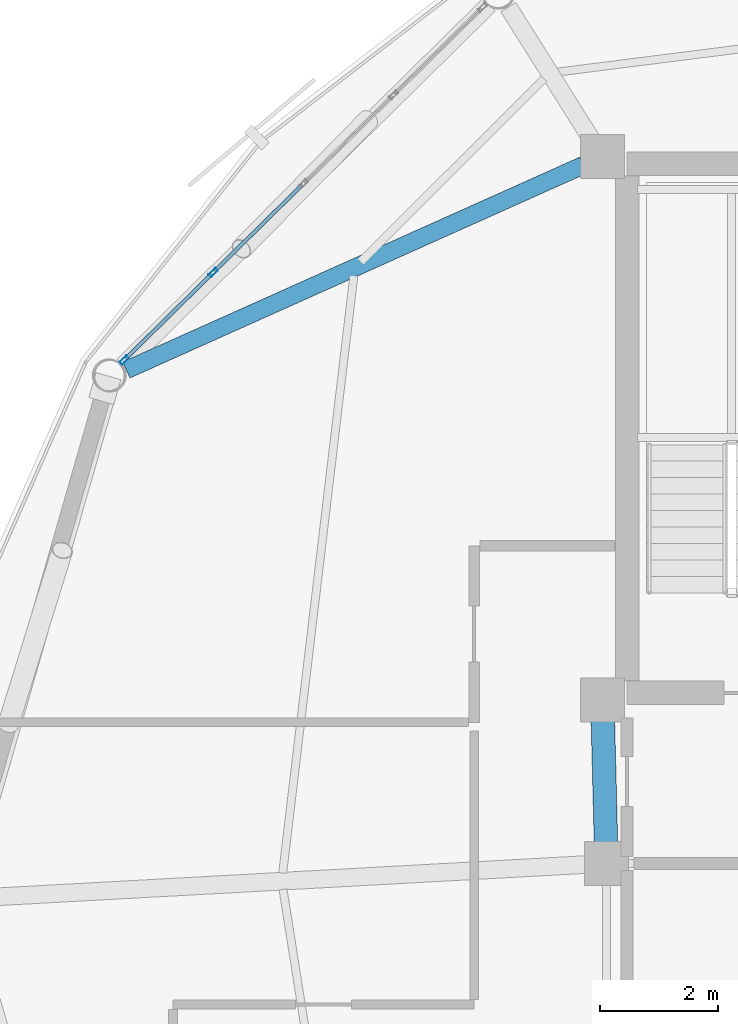
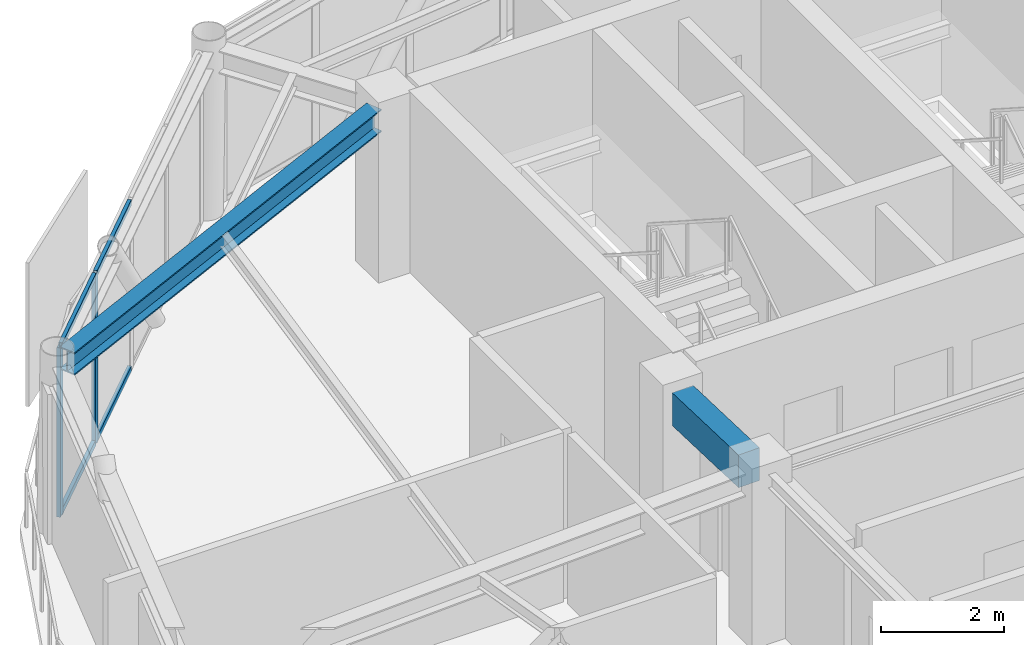
# One storey, part 12 of 27: 6 members, 2 beams, 1 element without a shape of its own.
"""IFC4 building model written with IfcOpenShell, lengths in metres."""

from ifc_helpers import new_model, si_unit, direction, frame, origin, origin_2d, place, context, subcontext, project, spatial, rectangle, hollow_rectangle, i_section, extrude, material, layer, layer_set, material_profile, profile_set, type_object, element, aggregate, save


model = new_model("IFC4")

# Units and contexts
model_context = context("Model", 3, precision=1e-05, world=origin(), true_north=direction((0.0, 1.0)))
body_context = subcontext(model_context, "Body", "Model", "MODEL_VIEW")
ifc_project = project(units=[si_unit("LENGTHUNIT", "METRE"), si_unit("AREAUNIT", "SQUARE_METRE"), si_unit("VOLUMEUNIT", "CUBIC_METRE"), si_unit("PLANEANGLEUNIT", "RADIAN"), si_unit("MASSUNIT", "GRAM", prefix="KILO")], contexts=[model_context])

# Site, building, storey
site_placement = place(None, origin())
site = spatial("IfcSite", under=ifc_project, at=site_placement, CompositionType="ELEMENT")
building_placement = place(site_placement, origin())
building = spatial("IfcBuilding", under=site, at=building_placement, Name="Varnakorn Sky Granary", CompositionType="ELEMENT")
storey_placement = place(building_placement, frame((0.0, 0.0, 263.39990234375)))
storey = spatial("IfcBuildingStorey", under=building, at=storey_placement, Name="L67", CompositionType="ELEMENT", Elevation=263.39990234375)

# Beams
ifc_material_1 = material(Name="Concrete C50/60", Category="concrete")
ifc_material_profile_1 = material_profile(ifc_material_1, rectangle(XDim=0.39990234375, YDim=0.64990234375, at=origin_2d()), Name="RC 400x650")
ifc_profile_set_1 = profile_set([ifc_material_profile_1], Name="Concrete C50/60")
beam_type_1 = type_object("IfcBeamType", Name="BM-LIN-650", PredefinedType="LINTEL", material=ifc_profile_set_1)
beam_1_placement = place(storey_placement, frame((-2.4111328125, 3.025146484375, 3.03515625), z_axis=(0.025227817192, -0.999681727971, 0.0), x_axis=(0.999681727971, 0.025227817192, 0.0)))
element("IfcBeam", 1, at=beam_1_placement, inside=storey, type_object=beam_type_1, Name="Core Spine Framing Beam 1 L67", PredefinedType="LINTEL", context=body_context, shape_type="SweptSolid", body=[
    extrude(rectangle(XDim=0.39990234375, YDim=0.64990234375, at=origin_2d()), origin(), (0.0, 0.0, 1.0), 2.071044921875),
])
ifc_material_2 = material(Name="Steel S355JR", Category="steel")
ifc_material_profile_2 = material_profile(ifc_material_2, i_section(OverallWidth=0.300048828125, OverallDepth=0.449951171875, WebThickness=0.013916015625, FlangeThickness=0.02587890625, at=origin_2d()), Name="HE 450 B")
ifc_profile_set_2 = profile_set([ifc_material_profile_2], Name="Steel S355JR")
beam_type_2 = type_object("IfcBeamType", Name="BM-RAD-Z5", PredefinedType="BEAM", material=ifc_profile_set_2)
beam_2_placement = place(storey_placement, frame((-2.743896484375, 12.474853515625, 3.135009765625), z_axis=(-0.912552861682, -0.40895876887, 0.0), x_axis=(0.40895876887, -0.912552861682, 0.0)))
element("IfcBeam", 2, at=beam_2_placement, inside=storey, type_object=beam_type_2, Name="Radial Floor Girder RG06 L67", PredefinedType="BEAM", context=body_context, shape_type="SweptSolid", body=[
    extrude(i_section(OverallWidth=0.300048828125, OverallDepth=0.449951171875, WebThickness=0.013916015625, FlangeThickness=0.02587890625, at=origin_2d()), origin(), (0.0, 0.0, 1.0), 8.515869140625),
])

# Curtain wall, members
ifc_material_3 = material(Name="Anodised Bronze Aluminium Alloy 6063-T6", Category="aluminium")
ifc_layer = layer(ifc_material_3, 0.159912109375, Name="Anodised Bronze Aluminium Alloy 6063-T6")
ifc_layer_set = layer_set([ifc_layer], Name="Anodised Bronze Aluminium Alloy 6063-T6")
curtain_wall_type = type_object("IfcCurtainWallType", Name="CW-OFF-1", PredefinedType="USERDEFINED", material=ifc_layer_set)
curtain_wall_placement = place(storey_placement, origin())
curtain_wall = element("IfcCurtainWall", 3, at=curtain_wall_placement, inside=storey, type_object=curtain_wall_type, Name="Unitised Curtain Wall CW6 CW-L67-B05", ObjectType="CURTAIN WALL", PredefinedType="USERDEFINED")
ifc_material_profile_3 = material_profile(ifc_material_3, hollow_rectangle(XDim=0.06494140625, YDim=0.159912109375, WallThickness=0.00341796875, at=origin_2d()), Name="ALU MULL 65x160")
ifc_profile_set_3 = profile_set([ifc_material_profile_3], Name="Anodised Bronze Aluminium Alloy 6063-T6")
member_type_1 = type_object("IfcMemberType", Name="CW-OFF-1-MULL", PredefinedType="MULLION", material=ifc_profile_set_3)
member_1_placement = place(storey_placement, frame((-10.55029296875, 9.161865234375, 0.0), z_axis=(0.0, 0.0, 1.0), x_axis=(-0.701440030116, 0.71272847856, 0.0)))
member_1 = element("IfcMember", 4, at=member_1_placement, type_object=member_type_1, Name="CW6 mullion 1", PredefinedType="MULLION", context=body_context, shape_type="SweptSolid", body=[
    extrude(hollow_rectangle(XDim=0.06494140625, YDim=0.159912109375, WallThickness=0.00341796875, at=origin_2d()), origin(), (0.0, 0.0, 1.0), 3.360107421875),
])
member_2_placement = place(storey_placement, frame((-9.039306640625, 10.649169921875, 0.0), z_axis=(0.0, 0.0, 1.0), x_axis=(-0.701440030116, 0.71272847856, 0.0)))
member_2 = element("IfcMember", 5, at=member_2_placement, type_object=member_type_1, Name="CW6 mullion 2", PredefinedType="MULLION", context=body_context, shape_type="SweptSolid", body=[
    extrude(hollow_rectangle(XDim=0.06494140625, YDim=0.159912109375, WallThickness=0.00341796875, at=origin_2d()), origin(), (0.0, 0.0, 1.0), 3.360107421875),
])
ifc_material_profile_4 = material_profile(ifc_material_3, hollow_rectangle(XDim=0.06494140625, YDim=0.1201171875, WallThickness=0.00341796875, at=origin_2d()), Name="ALU TRAN 65x120")
ifc_profile_set_4 = profile_set([ifc_material_profile_4], Name="Anodised Bronze Aluminium Alloy 6063-T6")
member_type_2 = type_object("IfcMemberType", Name="CW-OFF-1-TRAN", PredefinedType="USERDEFINED", material=ifc_profile_set_4)
member_3_placement = place(storey_placement, frame((-10.527099609375, 9.184814453125, 0.03271484375), z_axis=(0.712727628798, 0.701440893553, 0.0), x_axis=(-0.701440893553, 0.712727628798, 0.0)))
member_3 = element("IfcMember", 6, at=member_3_placement, type_object=member_type_2, Name="CW6 transom 1.1", ObjectType="TRANSOM", PredefinedType="USERDEFINED", context=body_context, shape_type="SweptSolid", body=[
    extrude(hollow_rectangle(XDim=0.06494140625, YDim=0.1201171875, WallThickness=0.00341796875, at=origin_2d()), origin(), (0.0, 0.0, 1.0), 2.054931640625),
])
member_4_placement = place(storey_placement, frame((-10.527099609375, 9.184814453125, 3.32763671875), z_axis=(0.712727628798, 0.701440893553, 0.0), x_axis=(-0.701440893553, 0.712727628798, 0.0)))
member_4 = element("IfcMember", 7, at=member_4_placement, type_object=member_type_2, Name="CW6 transom 1.2", ObjectType="TRANSOM", PredefinedType="USERDEFINED", context=body_context, shape_type="SweptSolid", body=[
    extrude(hollow_rectangle(XDim=0.06494140625, YDim=0.1201171875, WallThickness=0.00341796875, at=origin_2d()), origin(), (0.0, 0.0, 1.0), 2.054931640625),
])
member_5_placement = place(storey_placement, frame((-9.01611328125, 10.671875, 0.03271484375), z_axis=(0.712755675691, 0.701412394224, 0.0), x_axis=(-0.701412394224, 0.712755675691, 0.0)))
member_5 = element("IfcMember", 8, at=member_5_placement, type_object=member_type_2, Name="CW6 transom 2.1", ObjectType="TRANSOM", PredefinedType="USERDEFINED", context=body_context, shape_type="SweptSolid", body=[
    extrude(hollow_rectangle(XDim=0.06494140625, YDim=0.1201171875, WallThickness=0.00341796875, at=origin_2d()), origin(), (0.0, 0.0, 1.0), 2.087646484375),
])
member_6_placement = place(storey_placement, frame((-9.01611328125, 10.671875, 3.32763671875), z_axis=(0.712755675691, 0.701412394224, 0.0), x_axis=(-0.701412394224, 0.712755675691, 0.0)))
member_6 = element("IfcMember", 9, at=member_6_placement, type_object=member_type_2, Name="CW6 transom 2.2", ObjectType="TRANSOM", PredefinedType="USERDEFINED", context=body_context, shape_type="SweptSolid", body=[
    extrude(hollow_rectangle(XDim=0.06494140625, YDim=0.1201171875, WallThickness=0.00341796875, at=origin_2d()), origin(), (0.0, 0.0, 1.0), 2.087646484375),
])
aggregate(curtain_wall, [member_1, member_2, member_3, member_4, member_5, member_6])

save(model, "model.ifc")
